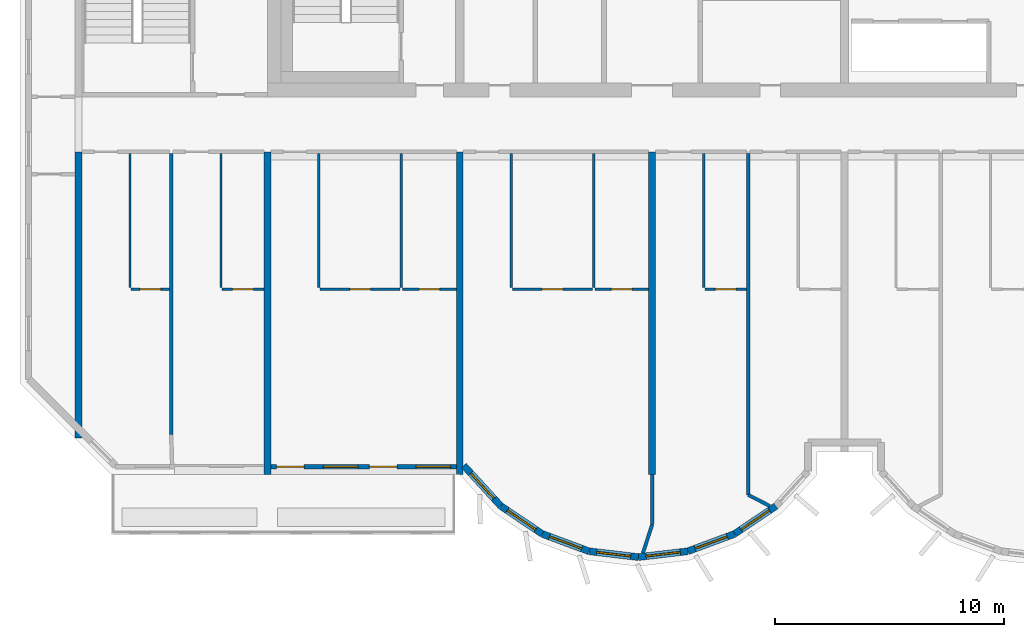
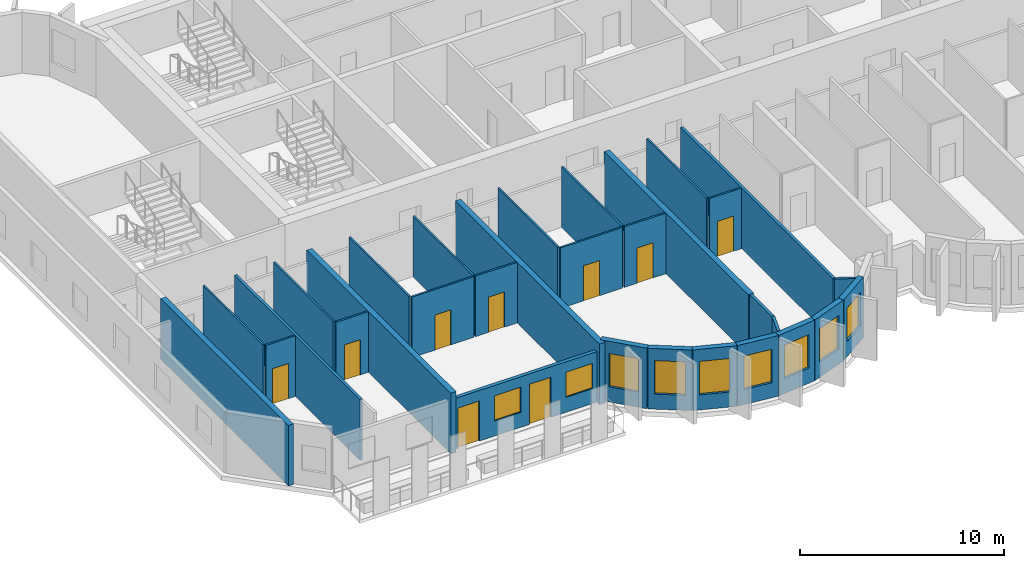
# One storey, part 2 of 11: 31 walls, 9 doors, 9 windows, 18 openings.
"""IFC4 building model written with IfcOpenShell, lengths in metres."""

import ifcopenshell
import ifcopenshell.guid

model = None  # the IFC model being written
_history = None  # IfcOwnerHistory: only IFC2X3 demands one
_inside = {}  # id of a spatial element -> (the spatial element, [elements in it])
_under = {}  # id of a project, library or spatial element -> (it, [spatial elements below it])
_declared = {}  # id of a project -> (the project, [libraries it declares])
_typed = {}  # id of a type object -> (the type object, [elements of that type])
_made_of = {}  # id of a material, layer set ... -> (it, [elements and type objects made of it])


def new_model(schema):
    """Start an empty IFC model of exactly this schema.

    Asked for "IFC4X3", IfcOpenShell would pick the latest addendum, in which some entities
    have other attributes; the version numbers below select the first issue.
    IFC2X3 requires an IfcOwnerHistory on every rooted entity: one is made here for all.
    """
    global model, _history
    if schema == "IFC4X3":
        model = ifcopenshell.file(schema_version=(4, 3, 0, 0))
    else:
        model = ifcopenshell.file(schema=schema)
    _inside.clear()
    _under.clear()
    _declared.clear()
    _typed.clear()
    _made_of.clear()
    _history = None
    if model.schema == "IFC2X3":
        org = make("IfcOrganization", Name="unknown")
        user = make(
            "IfcPersonAndOrganization",
            ThePerson=make("IfcPerson", FamilyName="unknown"),
            TheOrganization=org,
        )
        app = make(
            "IfcApplication",
            ApplicationDeveloper=org,
            Version="unknown",
            ApplicationFullName="unknown",
            ApplicationIdentifier="unknown",
        )
        _history = make(
            "IfcOwnerHistory",
            OwningUser=user,
            OwningApplication=app,
            ChangeAction="ADDED",
            CreationDate=0,
        )
    return model


def make(cls, **values):
    """One entity of the class cls with the attributes given. An attribute that is None is left unset."""
    return model.create_entity(
        cls, **{name: value for name, value in values.items() if value is not None}
    )


def rooted(cls, **values):
    """An entity with a GlobalId (a new one), such as an element, a storey or a relation."""
    return make(cls, GlobalId=ifcopenshell.guid.new(), OwnerHistory=_history, **values)


def si_unit(unit_type, name, prefix=None):
    """IfcSIUnit, for example si_unit("LENGTHUNIT", "METRE", prefix="MILLI")."""
    return make("IfcSIUnit", UnitType=unit_type, Prefix=prefix, Name=name)


def assignment(units):
    """IfcUnitAssignment: the units of a project."""
    return None if units is None else make("IfcUnitAssignment", Units=units)


def point(xyz):
    """IfcCartesianPoint."""
    return None if xyz is None else make("IfcCartesianPoint", Coordinates=xyz)


def direction(xyz):
    """IfcDirection."""
    return None if xyz is None else make("IfcDirection", DirectionRatios=xyz)


def frame(location, z_axis=None, x_axis=None):
    """IfcAxis2Placement3D, a coordinate frame: its origin and axes. An axis left out is left unset."""
    return make(
        "IfcAxis2Placement3D",
        Location=point(location),
        Axis=direction(z_axis),
        RefDirection=direction(x_axis),
    )


def frame_2d(location, x_axis=None):
    """IfcAxis2Placement2D, a coordinate frame in the plane: its origin and x axis."""
    return make(
        "IfcAxis2Placement2D", Location=point(location), RefDirection=direction(x_axis)
    )


def origin():
    """The frame at (0, 0, 0) with its axes left unset."""
    return frame((0.0, 0.0, 0.0))


def place(relative_to, where):
    """IfcLocalPlacement: puts the frame where relative to a parent placement (None: the world)."""
    return make(
        "IfcLocalPlacement", PlacementRelTo=relative_to, RelativePlacement=where
    )


def context(
    kind, dimensions, precision=None, world=None, true_north=None, identifier=None
):
    """IfcGeometricRepresentationContext, for example the 3D "Model" context."""
    return make(
        "IfcGeometricRepresentationContext",
        ContextIdentifier=identifier,
        ContextType=kind,
        CoordinateSpaceDimension=dimensions,
        Precision=precision,
        WorldCoordinateSystem=world,
        TrueNorth=true_north,
    )


def subcontext(parent, identifier, kind, view, scale=None):
    """IfcGeometricRepresentationSubContext, for example "Body" below "Model"."""
    return make(
        "IfcGeometricRepresentationSubContext",
        ContextIdentifier=identifier,
        ContextType=kind,
        ParentContext=parent,
        TargetScale=scale,
        TargetView=view,
    )


def project(units=None, contexts=None):
    """IfcProject with its units and contexts."""
    return rooted(
        "IfcProject",
        Name="project",
        RepresentationContexts=contexts,
        UnitsInContext=assignment(units),
    )


def spatial(cls, under=None, at=None, **own):
    """A site, building, storey or space (cls), placed at a placement, below another one or the project."""
    s = rooted(cls, ObjectPlacement=at, **own)
    if under is not None:
        _under.setdefault(under.id(), (under, []))[1].append(s)
    return s


def profile(cls, at=None, kind="AREA", **sizes):
    """A parametric profile (cls). Its sizes go by their IFC names, for example OverallWidth=200.0."""
    return make(cls, ProfileType=kind, Position=at, **sizes)


def rectangle(**sizes):
    """IfcRectangleProfileDef."""
    return profile("IfcRectangleProfileDef", **sizes)


def extrude(swept, where, along, depth):
    """IfcExtrudedAreaSolid: the profile swept, set in the frame where, extruded along a direction by depth."""
    return make(
        "IfcExtrudedAreaSolid",
        SweptArea=swept,
        Position=where,
        ExtrudedDirection=direction(along),
        Depth=depth,
    )


def shape(context_of_items, identifier, shape_type, items):
    """IfcShapeRepresentation: the items that make up one representation, for example the "Body"."""
    return make(
        "IfcShapeRepresentation",
        ContextOfItems=context_of_items,
        RepresentationIdentifier=identifier,
        RepresentationType=shape_type,
        Items=items,
    )


def source(mapping_origin, context_of_items, identifier, shape_type, items):
    """IfcRepresentationMap: a shape defined once, which mapped items show again and again."""
    return make(
        "IfcRepresentationMap",
        MappingOrigin=mapping_origin,
        MappedRepresentation=shape(context_of_items, identifier, shape_type, items),
    )


def transform(
    local_origin,
    x_axis=None,
    y_axis=None,
    z_axis=None,
    scale=None,
    scale2=None,
    scale3=None,
    uniform=True,
):
    """IfcCartesianTransformationOperator3D, or its non-uniform kind. x_axis, y_axis, z_axis: its Axis1, 2, 3."""
    if uniform:
        return make(
            "IfcCartesianTransformationOperator3D",
            Axis1=direction(x_axis),
            Axis2=direction(y_axis),
            LocalOrigin=point(local_origin),
            Scale=scale,
            Axis3=direction(z_axis),
        )
    return make(
        "IfcCartesianTransformationOperator3DnonUniform",
        Axis1=direction(x_axis),
        Axis2=direction(y_axis),
        LocalOrigin=point(local_origin),
        Scale=scale,
        Axis3=direction(z_axis),
        Scale2=scale2,
        Scale3=scale3,
    )


def mapped(mapping_source, mapping_target):
    """IfcMappedItem: shows the shape of a source again, moved by a transform."""
    return make(
        "IfcMappedItem", MappingSource=mapping_source, MappingTarget=mapping_target
    )


def material(Name=None, Category=None):
    """IfcMaterial."""
    return make("IfcMaterial", Name=Name, Category=Category)


def layer(
    of_material, thickness, ventilated=None, Name=None, Category=None, Priority=None
):
    """IfcMaterialLayer: one layer of a wall or slab, of a material (None: an air gap)."""
    return make(
        "IfcMaterialLayer",
        Material=of_material,
        LayerThickness=thickness,
        IsVentilated=ventilated,
        Name=Name,
        Category=Category,
        Priority=Priority,
    )


def layer_set(layers, Name=None):
    """IfcMaterialLayerSet."""
    return make("IfcMaterialLayerSet", MaterialLayers=layers, LayerSetName=Name)


def made_of(thing, what):
    """Note that an element or type object is made of a material, layer set ...; save() writes the relation."""
    if what is not None:
        _made_of.setdefault(what.id(), (what, []))[1].append(thing)
    return thing


def type_object(cls, material=None, **own):
    """A type object (cls), such as IfcWallType, which elements share."""
    return made_of(rooted(cls, **own), material)


def element(
    cls,
    number,
    at=None,
    inside=None,
    cuts=None,
    type_object=None,
    material=None,
    context=None,
    identifier="Body",
    shape_type=None,
    held_by="IfcProductDefinitionShape",
    body=None,
    shapes=None,
    **own,
):
    """One element of the class cls, such as IfcWall. Its Tag is "e" and its number.

    at: its placement. inside: the storey or other place that contains it. cuts: it is an
    opening in that element (IfcRelVoidsElement). A single representation is given by context,
    identifier, shape_type and body (its items); several are given by shapes. held_by: the class
    of the entity that holds the representations. save() writes the other relations.
    """
    e = rooted(cls, Tag="e%d" % number, ObjectPlacement=at, **own)
    if body is not None:
        shapes = [shape(context, identifier, shape_type, body)]
    if shapes is not None:
        e.Representation = make(held_by, Representations=shapes)
    if inside is not None:
        _inside.setdefault(inside.id(), (inside, []))[1].append(e)
    if cuts is not None:
        rooted(
            "IfcRelVoidsElement", RelatingBuildingElement=cuts, RelatedOpeningElement=e
        )
    if type_object is not None:
        _typed.setdefault(type_object.id(), (type_object, []))[1].append(e)
    return made_of(e, material)


def fill(opening, filler):
    """IfcRelFillsElement: the door or window that sits in an opening."""
    return rooted(
        "IfcRelFillsElement",
        RelatingOpeningElement=opening,
        RelatedBuildingElement=filler,
    )


def aggregate(whole, parts):
    """IfcRelAggregates: a whole, such as a stair, and the parts it consists of."""
    return rooted("IfcRelAggregates", RelatingObject=whole, RelatedObjects=parts)


def save(model, path):
    """Write the relations noted so far, then the file.

    IfcRelAggregates (storeys below a building ...), IfcRelContainedInSpatialStructure (elements
    in a storey), IfcRelDefinesByType, IfcRelAssociatesMaterial and IfcRelDeclares: one each for
    every whole, place, type object, material and project.
    """
    for whole, parts in _under.values():
        aggregate(whole, parts)
    for where, things in _inside.values():
        rooted(
            "IfcRelContainedInSpatialStructure",
            RelatedElements=things,
            RelatingStructure=where,
        )
    for kind, things in _typed.values():
        rooted("IfcRelDefinesByType", RelatedObjects=things, RelatingType=kind)
    for what, things in _made_of.values():
        rooted("IfcRelAssociatesMaterial", RelatedObjects=things, RelatingMaterial=what)
    for by, libraries in _declared.values():
        rooted("IfcRelDeclares", RelatingContext=by, RelatedDefinitions=libraries)
    model.write(path)


model = new_model("IFC4")

# Units and contexts
model_context = context("Model", 3, precision=1e-05, world=origin(), true_north=direction((0.0, 1.0)))
body_context = subcontext(model_context, "Body", "Model", "MODEL_VIEW")
ifc_project = project(units=[si_unit("LENGTHUNIT", "METRE"), si_unit("AREAUNIT", "SQUARE_METRE"), si_unit("VOLUMEUNIT", "CUBIC_METRE"), si_unit("PLANEANGLEUNIT", "RADIAN"), si_unit("MASSUNIT", "GRAM", prefix="KILO")], contexts=[model_context])

# Site, building, storey
site_placement = place(None, origin())
site = spatial("IfcSite", under=ifc_project, at=site_placement, CompositionType="ELEMENT")
building_placement = place(site_placement, origin())
building = spatial("IfcBuilding", under=site, at=building_placement, Name="Vanashikhar Sky Hotel", CompositionType="ELEMENT")
storey_placement = place(building_placement, frame((0.0, 0.0, 260.800048828125)))
storey = spatial("IfcBuildingStorey", under=building, at=storey_placement, Name="L63", CompositionType="ELEMENT", Elevation=260.800048828125)

# Walls
ifc_material_1 = material(Name="Concrete M60", Category="concrete")
ifc_layer_1 = layer(ifc_material_1, 0.300048828125)
ifc_layer_set_1 = layer_set([ifc_layer_1], Name="RC shear wall 300 Concrete M60")
wall_type_1 = type_object("IfcWallType", Name="RC shear wall 300 Concrete M60", PredefinedType="SHEAR", material=ifc_layer_set_1)
shared_shape_1 = source(origin(), body_context, "Body", "SweptSolid", [
    extrude(rectangle(XDim=12.5, YDim=0.300048828125, at=frame_2d((6.25, 0.0))), origin(), (0.0, 0.0, 1.0), 3.619873046875),
])
wall_1_placement = place(storey_placement, frame((16.949951171875, 7.10009765625, 0.0), z_axis=(0.0, 0.0, 1.0), x_axis=(0.0, 1.0, 0.0)))
element("IfcWall", 1, at=wall_1_placement, inside=storey, type_object=wall_type_1, Name="CW-L63-XW03-1", PredefinedType="SHEAR", context=body_context, shape_type="MappedRepresentation", body=[
    mapped(shared_shape_1, transform((0.0, 0.0, 0.0), scale=1.0)),
])
shared_shape_2 = source(origin(), body_context, "Body", "SweptSolid", [
    extrude(rectangle(XDim=14.10009765625, YDim=0.300048828125, at=frame_2d((7.050048828125, 0.0))), origin(), (0.0, 0.0, 1.0), 3.619873046875),
])
for number, where, z_axis, x_axis, name in (
    (2, (25.199951171875, 5.5, 0.0), (0.0, 0.0, 1.0), (0.0, 1.0, 0.0), "CW-L63-XW04-1"),
    (3, (33.60009765625, 5.5, 0.0), (0.0, 0.0, 1.0), (0.0, 1.0, 0.0), "CW-L63-XW05-1"),
    (4, (42.0, 5.5, 0.0), (0.0, 0.0, 1.0), (0.0, 1.0, 0.0), "CW-L63-XW06-1"),
):
    element("IfcWall", number, at=place(storey_placement, frame(where, z_axis=z_axis, x_axis=x_axis)), inside=storey, type_object=wall_type_1, Name=name, PredefinedType="SHEAR", context=body_context, shape_type="MappedRepresentation", body=[
        mapped(shared_shape_2, transform((0.0, 0.0, 0.0), scale=1.0)),
    ])

# Wall, openings, windows, doors
ifc_material_2 = material(Name="Concrete M50", Category="concrete")
ifc_layer_2 = layer(ifc_material_2, 0.199951171875)
ifc_layer_set_2 = layer_set([ifc_layer_2], Name="Front window wall 200")
wall_type_2 = type_object("IfcWallType", Name="Front window wall 200", PredefinedType="SOLIDWALL", material=ifc_layer_set_2)
shared_shape_3 = source(origin(), body_context, "Body", "SweptSolid", [
    extrude(rectangle(XDim=8.099853515625, YDim=0.199951171875, at=frame_2d((4.0498046875, 0.0))), origin(), (0.0, 0.0, 1.0), 3.02001953125),
])
wall_2_placement = place(storey_placement, frame((25.35009765625, 5.85009765625, 0.0), z_axis=(0.0, 0.0, 1.0), x_axis=(1.0, 0.0, 0.0)))
wall_2 = element("IfcWall", 5, at=wall_2_placement, inside=storey, type_object=wall_type_2, Name="Front window wall", PredefinedType="SOLIDWALL", context=body_context, shape_type="MappedRepresentation", body=[
    mapped(shared_shape_3, transform((0.0, 0.0, 0.0), scale=1.0)),
])
shared_shape_4 = source(origin(), body_context, "Body", "SweptSolid", [
    extrude(rectangle(XDim=1.199951171875, YDim=2.39990234375, at=frame_2d((0.60009765625, 1.199951171875))), frame((0.0, 0.10986328125, 0.0), z_axis=(0.0, -1.0, 0.0), x_axis=(1.0, 0.0, 0.0)), (0.0, 0.0, 1.0), 0.219970703125),
])
opening_1_placement = place(wall_2_placement, frame((0.25, 0.0, 0.0)))
opening_1 = element("IfcOpeningElement", 6, at=opening_1_placement, cuts=wall_2, Name="Opening BD-01", PredefinedType="OPENING", context=body_context, shape_type="MappedRepresentation", body=[
    mapped(shared_shape_4, transform((0.0, 0.0, 0.0), scale=1.0)),
])
shared_shape_5 = source(origin(), body_context, "Body", "SweptSolid", [
    extrude(rectangle(XDim=1.5, YDim=1.5, at=frame_2d((0.75, 0.75))), frame((0.0, 0.10986328125, 0.0), z_axis=(0.0, -1.0, 0.0), x_axis=(1.0, 0.0, 0.0)), (0.0, 0.0, 1.0), 0.219970703125),
])
opening_2_placement = place(wall_2_placement, frame((2.300048828125, 0.0, 0.89990234375)))
opening_2 = element("IfcOpeningElement", 7, at=opening_2_placement, cuts=wall_2, Name="Opening WN-1", PredefinedType="OPENING", context=body_context, shape_type="MappedRepresentation", body=[
    mapped(shared_shape_5, transform((0.0, 0.0, 0.0), scale=1.0)),
])
opening_3_placement = place(wall_2_placement, frame((4.300048828125, 0.0, 0.0)))
opening_3 = element("IfcOpeningElement", 8, at=opening_3_placement, cuts=wall_2, Name="Opening BD-02", PredefinedType="OPENING", context=body_context, shape_type="MappedRepresentation", body=[
    mapped(shared_shape_4, transform((0.0, 0.0, 0.0), scale=1.0)),
])
opening_4_placement = place(wall_2_placement, frame((6.35009765625, 0.0, 0.89990234375)))
opening_4 = element("IfcOpeningElement", 9, at=opening_4_placement, cuts=wall_2, Name="Opening WN-1", PredefinedType="OPENING", context=body_context, shape_type="MappedRepresentation", body=[
    mapped(shared_shape_5, transform((0.0, 0.0, 0.0), scale=1.0)),
])
ifc_material_3 = material(Name="Glass", Category="glass")
window_type_1 = type_object("IfcWindowType", Name="Window 1500 x 1500", PartitioningType="SINGLE_PANEL", PredefinedType="WINDOW", material=ifc_material_3)
shared_shape_6 = source(origin(), body_context, "Body", "SweptSolid", [
    extrude(rectangle(XDim=1.5, YDim=1.5, at=frame_2d((0.75, 0.75))), frame((0.0, 0.030029296875, 0.0), z_axis=(0.0, -1.0, 0.0), x_axis=(1.0, 0.0, 0.0)), (0.0, 0.0, 1.0), 0.06005859375),
])
window_1_placement = place(opening_2_placement, origin())
window_1 = element("IfcWindow", 10, at=window_1_placement, inside=storey, type_object=window_type_1, Name="Window WN-1", OverallHeight=1.5, OverallWidth=1.5, PartitioningType="SINGLE_PANEL", PredefinedType="WINDOW", context=body_context, shape_type="MappedRepresentation", body=[
    mapped(shared_shape_6, transform((0.0, 0.0, 0.0), scale=1.0)),
])
fill(opening_2, window_1)
window_2_placement = place(opening_4_placement, origin())
window_2 = element("IfcWindow", 11, at=window_2_placement, inside=storey, type_object=window_type_1, Name="Window WN-1", OverallHeight=1.5, OverallWidth=1.5, PartitioningType="SINGLE_PANEL", PredefinedType="WINDOW", context=body_context, shape_type="MappedRepresentation", body=[
    mapped(shared_shape_6, transform((0.0, 0.0, 0.0), scale=1.0)),
])
fill(opening_4, window_2)
ifc_material_4 = material(Name="Aluminium", Category="aluminium")
door_type_1 = type_object("IfcDoorType", Name="Balcony sliding door 1200 x 2400", OperationType="NOTDEFINED", PredefinedType="DOOR", material=ifc_material_4)
shared_shape_7 = source(origin(), body_context, "Body", "SweptSolid", [
    extrude(rectangle(XDim=1.199951171875, YDim=2.39990234375, at=frame_2d((0.60009765625, 1.199951171875))), frame((0.0, 0.02490234375, 0.0), z_axis=(0.0, -1.0, 0.0), x_axis=(1.0, 0.0, 0.0)), (0.0, 0.0, 1.0), 0.050048828125),
])
door_1_placement = place(opening_1_placement, origin())
door_1 = element("IfcDoor", 12, at=door_1_placement, inside=storey, type_object=door_type_1, Name="Balcony sliding door", OperationType="SLIDING_TO_LEFT", OverallHeight=2.39990234375, OverallWidth=1.199951171875, PredefinedType="DOOR", context=body_context, shape_type="MappedRepresentation", body=[
    mapped(shared_shape_7, transform((0.0, 0.0, 0.0), scale=1.0)),
])
fill(opening_1, door_1)
door_2_placement = place(opening_3_placement, origin())
door_2 = element("IfcDoor", 13, at=door_2_placement, inside=storey, type_object=door_type_1, Name="Balcony sliding door", OperationType="SLIDING_TO_RIGHT", OverallHeight=2.39990234375, OverallWidth=1.199951171875, PredefinedType="DOOR", context=body_context, shape_type="MappedRepresentation", body=[
    mapped(shared_shape_7, transform((0.0, 0.0, 0.0), scale=1.0)),
])
fill(opening_3, door_2)

# Wall, opening, window
ifc_layer_3 = layer(ifc_material_2, 0.300048828125)
ifc_layer_set_3 = layer_set([ifc_layer_3], Name="Lobe wall 300")
wall_type_3 = type_object("IfcWallType", Name="Lobe wall 300", PredefinedType="SOLIDWALL", material=ifc_layer_set_3)
shared_shape_8 = source(origin(), body_context, "Body", "SweptSolid", [
    extrude(rectangle(XDim=2.398193359375, YDim=0.300048828125, at=frame_2d((1.19921875, 0.0))), origin(), (0.0, 0.0, 1.0), 3.619873046875),
])
wall_3_placement = place(storey_placement, frame((33.776123046875, 5.89990234375, 0.0), z_axis=(0.0, 0.0, 1.0), x_axis=(0.675374189419, -0.737475222815, 0.0)))
wall_3 = element("IfcWall", 14, at=wall_3_placement, inside=storey, type_object=wall_type_3, Name="Lobe wall", PredefinedType="SOLIDWALL", context=body_context, shape_type="MappedRepresentation", body=[
    mapped(shared_shape_8, transform((0.0, 0.0, 0.0), scale=1.0)),
])
shared_shape_9 = source(origin(), body_context, "Body", "SweptSolid", [
    extrude(rectangle(XDim=1.5, YDim=2.0, at=frame_2d((0.75, 1.0))), frame((0.0, 0.16015625, 0.0), z_axis=(0.0, -1.0, 0.0), x_axis=(1.0, 0.0, 0.0)), (0.0, 0.0, 1.0), 0.320068359375),
])
opening_5_placement = place(wall_3_placement, frame((0.44921875, 0.0, 0.89990234375)))
opening_5 = element("IfcOpeningElement", 15, at=opening_5_placement, cuts=wall_3, Name="Opening WN-2", PredefinedType="OPENING", context=body_context, shape_type="MappedRepresentation", body=[
    mapped(shared_shape_9, transform((0.0, 0.0, 0.0), scale=1.0)),
])
window_type_2 = type_object("IfcWindowType", Name="Lobe window 1500 x 2000", PartitioningType="SINGLE_PANEL", PredefinedType="WINDOW", material=ifc_material_3)
shared_shape_10 = source(origin(), body_context, "Body", "SweptSolid", [
    extrude(rectangle(XDim=1.5, YDim=2.0, at=frame_2d((0.75, 1.0))), frame((0.0, 0.030029296875, 0.0), z_axis=(0.0, -1.0, 0.0), x_axis=(1.0, 0.0, 0.0)), (0.0, 0.0, 1.0), 0.06005859375),
])
window_3_placement = place(opening_5_placement, origin())
window_3 = element("IfcWindow", 16, at=window_3_placement, inside=storey, type_object=window_type_2, Name="Window WN-2", OverallHeight=2.0, OverallWidth=1.5, PartitioningType="SINGLE_PANEL", PredefinedType="WINDOW", context=body_context, shape_type="MappedRepresentation", body=[
    mapped(shared_shape_10, transform((0.0, 0.0, 0.0), scale=1.0)),
])
fill(opening_5, window_3)

shared_shape_11 = source(origin(), body_context, "Body", "SweptSolid", [
    extrude(rectangle(XDim=2.17578125, YDim=0.300048828125, at=frame_2d((1.087890625, 0.0))), origin(), (0.0, 0.0, 1.0), 3.619873046875),
])
wall_4_placement = place(storey_placement, frame((35.395751953125, 4.13134765625, 0.0), z_axis=(0.0, 0.0, 1.0), x_axis=(0.829590746428, -0.558371913192, 0.0)))
wall_4 = element("IfcWall", 17, at=wall_4_placement, inside=storey, type_object=wall_type_3, Name="Lobe wall", PredefinedType="SOLIDWALL", context=body_context, shape_type="MappedRepresentation", body=[
    mapped(shared_shape_11, transform((0.0, 0.0, 0.0), scale=1.0)),
])
opening_6_placement = place(wall_4_placement, frame((0.337890625, 0.0, 0.89990234375)))
opening_6 = element("IfcOpeningElement", 18, at=opening_6_placement, cuts=wall_4, Name="Opening WN-2", PredefinedType="OPENING", context=body_context, shape_type="MappedRepresentation", body=[
    mapped(shared_shape_9, transform((0.0, 0.0, 0.0), scale=1.0)),
])
window_4_placement = place(opening_6_placement, origin())
window_4 = element("IfcWindow", 19, at=window_4_placement, inside=storey, type_object=window_type_2, Name="Window WN-2", OverallHeight=2.0, OverallWidth=1.5, PartitioningType="SINGLE_PANEL", PredefinedType="WINDOW", context=body_context, shape_type="MappedRepresentation", body=[
    mapped(shared_shape_10, transform((0.0, 0.0, 0.0), scale=1.0)),
])
fill(opening_6, window_4)

wall_5_placement = place(storey_placement, frame((37.20068359375, 2.91650390625, 0.0), z_axis=(0.0, 0.0, 1.0), x_axis=(0.93754555999, -0.347862505801, 0.0)))
wall_5 = element("IfcWall", 20, at=wall_5_placement, inside=storey, type_object=wall_type_3, Name="Lobe wall", PredefinedType="SOLIDWALL", context=body_context, shape_type="MappedRepresentation", body=[
    mapped(shared_shape_11, transform((0.0, 0.0, 0.0), scale=1.0)),
])
opening_7_placement = place(wall_5_placement, frame((0.337890625, 0.0, 0.89990234375)))
opening_7 = element("IfcOpeningElement", 21, at=opening_7_placement, cuts=wall_5, Name="Opening WN-2", PredefinedType="OPENING", context=body_context, shape_type="MappedRepresentation", body=[
    mapped(shared_shape_9, transform((0.0, 0.0, 0.0), scale=1.0)),
])
window_5_placement = place(opening_7_placement, origin())
window_5 = element("IfcWindow", 22, at=window_5_placement, inside=storey, type_object=window_type_2, Name="Window WN-2", OverallHeight=2.0, OverallWidth=1.5, PartitioningType="SINGLE_PANEL", PredefinedType="WINDOW", context=body_context, shape_type="MappedRepresentation", body=[
    mapped(shared_shape_10, transform((0.0, 0.0, 0.0), scale=1.0)),
])
fill(opening_7, window_5)

wall_6_placement = place(storey_placement, frame((45.59912109375, 2.91650390625, 0.0), z_axis=(0.0, 0.0, 1.0), x_axis=(0.829625727223, 0.558319937607, 0.0)))
wall_6 = element("IfcWall", 23, at=wall_6_placement, inside=storey, type_object=wall_type_3, Name="Lobe wall", PredefinedType="SOLIDWALL", context=body_context, shape_type="MappedRepresentation", body=[
    mapped(shared_shape_11, transform((0.0, 0.0, 0.0), scale=1.0)),
])
opening_8_placement = place(wall_6_placement, frame((0.337890625, 0.0, 0.89990234375)))
opening_8 = element("IfcOpeningElement", 24, at=opening_8_placement, cuts=wall_6, Name="Opening WN-2", PredefinedType="OPENING", context=body_context, shape_type="MappedRepresentation", body=[
    mapped(shared_shape_9, transform((0.0, 0.0, 0.0), scale=1.0)),
])
window_6_placement = place(opening_8_placement, origin())
window_6 = element("IfcWindow", 25, at=window_6_placement, inside=storey, type_object=window_type_2, Name="Window WN-2", OverallHeight=2.0, OverallWidth=1.5, PartitioningType="SINGLE_PANEL", PredefinedType="WINDOW", context=body_context, shape_type="MappedRepresentation", body=[
    mapped(shared_shape_10, transform((0.0, 0.0, 0.0), scale=1.0)),
])
fill(opening_8, window_6)

shared_shape_12 = source(origin(), body_context, "Body", "SweptSolid", [
    extrude(rectangle(XDim=2.174560546875, YDim=0.300048828125, at=frame_2d((1.08740234375, 0.0))), origin(), (0.0, 0.0, 1.0), 3.619873046875),
])
wall_7_placement = place(storey_placement, frame((39.240478515625, 2.15966796875, 0.0), z_axis=(0.0, 0.0, 1.0), x_axis=(0.993001132889, -0.118104826659, 0.0)))
wall_7 = element("IfcWall", 26, at=wall_7_placement, inside=storey, type_object=wall_type_3, Name="Lobe wall", PredefinedType="SOLIDWALL", context=body_context, shape_type="MappedRepresentation", body=[
    mapped(shared_shape_12, transform((0.0, 0.0, 0.0), scale=1.0)),
])
opening_9_placement = place(wall_7_placement, frame((0.33740234375, 0.0, 0.89990234375)))
opening_9 = element("IfcOpeningElement", 27, at=opening_9_placement, cuts=wall_7, Name="Opening WN-2", PredefinedType="OPENING", context=body_context, shape_type="MappedRepresentation", body=[
    mapped(shared_shape_9, transform((0.0, 0.0, 0.0), scale=1.0)),
])
window_7_placement = place(opening_9_placement, origin())
window_7 = element("IfcWindow", 28, at=window_7_placement, inside=storey, type_object=window_type_2, Name="Window WN-2", OverallHeight=2.0, OverallWidth=1.5, PartitioningType="SINGLE_PANEL", PredefinedType="WINDOW", context=body_context, shape_type="MappedRepresentation", body=[
    mapped(shared_shape_10, transform((0.0, 0.0, 0.0), scale=1.0)),
])
fill(opening_9, window_7)

shared_shape_13 = source(origin(), body_context, "Body", "SweptSolid", [
    extrude(rectangle(XDim=2.1748046875, YDim=0.300048828125, at=frame_2d((1.08740234375, 0.0))), origin(), (0.0, 0.0, 1.0), 3.619873046875),
])
wall_8_placement = place(storey_placement, frame((41.39990234375, 1.90283203125, 0.0), z_axis=(0.0, 0.0, 1.0), x_axis=(0.993002698611, 0.118091661648, 0.0)))
wall_8 = element("IfcWall", 29, at=wall_8_placement, inside=storey, type_object=wall_type_3, Name="Lobe wall", PredefinedType="SOLIDWALL", context=body_context, shape_type="MappedRepresentation", body=[
    mapped(shared_shape_13, transform((0.0, 0.0, 0.0), scale=1.0)),
])
opening_10_placement = place(wall_8_placement, frame((0.33740234375, 0.0, 0.89990234375)))
opening_10 = element("IfcOpeningElement", 30, at=opening_10_placement, cuts=wall_8, Name="Opening WN-2", PredefinedType="OPENING", context=body_context, shape_type="MappedRepresentation", body=[
    mapped(shared_shape_9, transform((0.0, 0.0, 0.0), scale=1.0)),
])
window_8_placement = place(opening_10_placement, origin())
window_8 = element("IfcWindow", 31, at=window_8_placement, inside=storey, type_object=window_type_2, Name="Window WN-2", OverallHeight=2.0, OverallWidth=1.5, PartitioningType="SINGLE_PANEL", PredefinedType="WINDOW", context=body_context, shape_type="MappedRepresentation", body=[
    mapped(shared_shape_10, transform((0.0, 0.0, 0.0), scale=1.0)),
])
fill(opening_10, window_8)

shared_shape_14 = source(origin(), body_context, "Body", "SweptSolid", [
    extrude(rectangle(XDim=2.175537109375, YDim=0.300048828125, at=frame_2d((1.087890625, 0.0))), origin(), (0.0, 0.0, 1.0), 3.619873046875),
])
wall_9_placement = place(storey_placement, frame((43.5595703125, 2.15966796875, 0.0), z_axis=(0.0, 0.0, 1.0), x_axis=(0.937531979054, 0.347899106424, 0.0)))
wall_9 = element("IfcWall", 32, at=wall_9_placement, inside=storey, type_object=wall_type_3, Name="Lobe wall", PredefinedType="SOLIDWALL", context=body_context, shape_type="MappedRepresentation", body=[
    mapped(shared_shape_14, transform((0.0, 0.0, 0.0), scale=1.0)),
])
opening_11_placement = place(wall_9_placement, frame((0.337890625, 0.0, 0.89990234375)))
opening_11 = element("IfcOpeningElement", 33, at=opening_11_placement, cuts=wall_9, Name="Opening WN-2", PredefinedType="OPENING", context=body_context, shape_type="MappedRepresentation", body=[
    mapped(shared_shape_9, transform((0.0, 0.0, 0.0), scale=1.0)),
])
window_9_placement = place(opening_11_placement, origin())
window_9 = element("IfcWindow", 34, at=window_9_placement, inside=storey, type_object=window_type_2, Name="Window WN-2", OverallHeight=2.0, OverallWidth=1.5, PartitioningType="SINGLE_PANEL", PredefinedType="WINDOW", context=body_context, shape_type="MappedRepresentation", body=[
    mapped(shared_shape_10, transform((0.0, 0.0, 0.0), scale=1.0)),
])
fill(opening_11, window_9)

# Wall
ifc_material_5 = material(Name="Gypsum plasterboard partition")
ifc_layer_4 = layer(ifc_material_5, 0.14990234375)
ifc_layer_set_4 = layer_set([ifc_layer_4], Name="Corridor and demising partition 150")
wall_type_4 = type_object("IfcWallType", Name="Corridor and demising partition 150", PredefinedType="PARTITIONING", material=ifc_layer_set_4)
shared_shape_15 = source(origin(), body_context, "Body", "SweptSolid", [
    extrude(rectangle(XDim=12.27490234375, YDim=0.14990234375, at=frame_2d((6.137451171875, 0.0))), origin(), (0.0, 0.0, 1.0), 3.619873046875),
])
wall_10_placement = place(storey_placement, frame((21.0, 7.25, 0.0), z_axis=(0.0, 0.0, 1.0), x_axis=(0.0, 1.0, 0.0)))
element("IfcWall", 35, at=wall_10_placement, inside=storey, type_object=wall_type_4, Name="W-L63-PW007", PredefinedType="PARTITIONING", context=body_context, shape_type="MappedRepresentation", body=[
    mapped(shared_shape_15, transform((0.0, 0.0, 0.0), scale=1.0)),
])

# Wall, opening, door
ifc_layer_5 = layer(ifc_material_5, 0.10009765625)
ifc_layer_set_5 = layer_set([ifc_layer_5], Name="Wet room partition 100")
wall_type_5 = type_object("IfcWallType", Name="Wet room partition 100", PredefinedType="PARTITIONING", material=ifc_layer_set_5)
shared_shape_16 = source(origin(), body_context, "Body", "SweptSolid", [
    extrude(rectangle(XDim=3.5, YDim=0.10009765625, at=frame_2d((1.75, 0.0))), origin(), (0.0, 0.0, 1.0), 3.619873046875),
])
wall_11_placement = place(storey_placement, frame((27.5, 13.60009765625, 0.0), z_axis=(0.0, 0.0, 1.0), x_axis=(1.0, 0.0, 0.0)))
wall_11 = element("IfcWall", 36, at=wall_11_placement, inside=storey, type_object=wall_type_5, Name="W-L63-PW010", PredefinedType="PARTITIONING", context=body_context, shape_type="MappedRepresentation", body=[
    mapped(shared_shape_16, transform((0.0, 0.0, 0.0), scale=1.0)),
])
shared_shape_17 = source(origin(), body_context, "Body", "SweptSolid", [
    extrude(rectangle(XDim=0.89990234375, YDim=2.10009765625, at=frame_2d((0.449951171875, 1.050048828125))), frame((0.0, 0.06005859375, 0.0), z_axis=(0.0, -1.0, 0.0), x_axis=(1.0, 0.0, 0.0)), (0.0, 0.0, 1.0), 0.1201171875),
])
opening_12_placement = place(wall_11_placement, frame((1.300048828125, 0.0, 0.0)))
opening_12 = element("IfcOpeningElement", 37, at=opening_12_placement, cuts=wall_11, Name="Opening D-02", PredefinedType="OPENING", context=body_context, shape_type="MappedRepresentation", body=[
    mapped(shared_shape_17, transform((0.0, 0.0, 0.0), scale=1.0)),
])
ifc_material_6 = material(Name="Timber door", Category="wood")
door_type_2 = type_object("IfcDoorType", Name="Internal door 900", OperationType="NOTDEFINED", PredefinedType="DOOR", material=ifc_material_6)
shared_shape_18 = source(origin(), body_context, "Body", "SweptSolid", [
    extrude(rectangle(XDim=0.89990234375, YDim=2.10009765625, at=frame_2d((0.449951171875, 1.050048828125))), frame((0.0, 0.02490234375, 0.0), z_axis=(0.0, -1.0, 0.0), x_axis=(1.0, 0.0, 0.0)), (0.0, 0.0, 1.0), 0.050048828125),
])
door_3_placement = place(opening_12_placement, origin())
door_3 = element("IfcDoor", 38, at=door_3_placement, inside=storey, type_object=door_type_2, Name="D-L63-005", OperationType="SINGLE_SWING_LEFT", OverallHeight=2.10009765625, OverallWidth=0.89990234375, PredefinedType="DOOR", context=body_context, shape_type="MappedRepresentation", body=[
    mapped(shared_shape_18, transform((0.0, 0.0, 0.0), scale=1.0)),
])
fill(opening_12, door_3)

wall_12_placement = place(storey_placement, frame((35.89990234375, 13.60009765625, 0.0), z_axis=(0.0, 0.0, 1.0), x_axis=(1.0, 0.0, 0.0)))
wall_12 = element("IfcWall", 39, at=wall_12_placement, inside=storey, type_object=wall_type_5, Name="W-L63-PW015", PredefinedType="PARTITIONING", context=body_context, shape_type="MappedRepresentation", body=[
    mapped(shared_shape_16, transform((0.0, 0.0, 0.0), scale=1.0)),
])
opening_13_placement = place(wall_12_placement, frame((1.300048828125, 0.0, 0.0)))
opening_13 = element("IfcOpeningElement", 40, at=opening_13_placement, cuts=wall_12, Name="Opening D-02", PredefinedType="OPENING", context=body_context, shape_type="MappedRepresentation", body=[
    mapped(shared_shape_17, transform((0.0, 0.0, 0.0), scale=1.0)),
])
door_4_placement = place(opening_13_placement, origin())
door_4 = element("IfcDoor", 41, at=door_4_placement, inside=storey, type_object=door_type_2, Name="D-L63-008", OperationType="SINGLE_SWING_LEFT", OverallHeight=2.10009765625, OverallWidth=0.89990234375, PredefinedType="DOOR", context=body_context, shape_type="MappedRepresentation", body=[
    mapped(shared_shape_18, transform((0.0, 0.0, 0.0), scale=1.0)),
])
fill(opening_13, door_4)

# Walls
shared_shape_19 = source(origin(), body_context, "Body", "SweptSolid", [
    extrude(rectangle(XDim=14.906005859375, YDim=0.14990234375, at=frame_2d((7.453125, 0.0))), origin(), (0.0, 0.0, 1.0), 3.619873046875),
])
wall_13_placement = place(storey_placement, frame((46.199951171875, 4.618896484375, 0.0), z_axis=(0.0, 0.0, 1.0), x_axis=(0.0, 1.0, 0.0)))
element("IfcWall", 42, at=wall_13_placement, inside=storey, type_object=wall_type_4, Name="W-L63-PW024", PredefinedType="PARTITIONING", context=body_context, shape_type="MappedRepresentation", body=[
    mapped(shared_shape_19, transform((0.0, 0.0, 0.0), scale=1.0)),
])
shared_shape_20 = source(origin(), body_context, "Body", "SweptSolid", [
    extrude(rectangle(XDim=2.177978515625, YDim=0.14990234375, at=frame_2d((1.0888671875, 0.0))), origin(), (0.0, 0.0, 1.0), 3.619873046875),
])
wall_14_placement = place(storey_placement, frame((42.0, 3.322021484375, 0.0), z_axis=(0.0, 0.0, 1.0), x_axis=(0.0, 1.0, 0.0)))
element("IfcWall", 43, at=wall_14_placement, inside=storey, type_object=wall_type_4, Name="W-L63-PW047", PredefinedType="PARTITIONING", context=body_context, shape_type="MappedRepresentation", body=[
    mapped(shared_shape_20, transform((0.0, 0.0, 0.0), scale=1.0)),
])
shared_shape_21 = source(origin(), body_context, "Body", "SweptSolid", [
    extrude(rectangle(XDim=1.308349609375, YDim=0.14990234375, at=frame_2d((0.654296875, 0.0))), origin(), (0.0, 0.0, 1.0), 3.619873046875),
])
wall_15_placement = place(storey_placement, frame((41.597900390625, 2.076904296875, 0.0), z_axis=(0.0, 0.0, 1.0), x_axis=(0.307313512187, 0.951608325535, 0.0)))
element("IfcWall", 44, at=wall_15_placement, inside=storey, type_object=wall_type_4, Name="W-L63-PW047B0", PredefinedType="PARTITIONING", context=body_context, shape_type="MappedRepresentation", body=[
    mapped(shared_shape_21, transform((0.0, 0.0, 0.0), scale=1.0)),
])
shared_shape_22 = source(origin(), body_context, "Body", "SweptSolid", [
    extrude(rectangle(XDim=1.0576171875, YDim=0.14990234375, at=frame_2d((0.52880859375, 0.0))), origin(), (0.0, 0.0, 1.0), 3.619873046875),
])
wall_16_placement = place(storey_placement, frame((47.139892578125, 4.134033203125, 0.0), z_axis=(0.0, 0.0, 1.0), x_axis=(-0.888723819054, 0.458442988218, 0.0)))
element("IfcWall", 45, at=wall_16_placement, inside=storey, type_object=wall_type_4, Name="W-L63-PW024B0", PredefinedType="PARTITIONING", context=body_context, shape_type="MappedRepresentation", body=[
    mapped(shared_shape_22, transform((0.0, 0.0, 0.0), scale=1.0)),
])
shared_shape_23 = source(origin(), body_context, "Body", "SweptSolid", [
    extrude(rectangle(XDim=5.849853515625, YDim=0.10009765625, at=frame_2d((2.9248046875, 0.0))), origin(), (0.0, 0.0, 1.0), 3.619873046875),
])
for number, where, z_axis, x_axis, name in (
    (46, (19.199951171875, 13.675048828125, 0.0), (0.0, 0.0, 1.0), (0.0, 1.0, 0.0), "W-L63-PW001"),
    (47, (23.175048828125, 13.675048828125, 0.0), (0.0, 0.0, 1.0), (0.0, 1.0, 0.0), "W-L63-PW004"),
    (48, (27.449951171875, 13.675048828125, 0.0), (0.0, 0.0, 1.0), (0.0, 1.0, 0.0), "W-L63-PW008"),
    (49, (31.050048828125, 13.675048828125, 0.0), (0.0, 0.0, 1.0), (0.0, 1.0, 0.0), "W-L63-PW009"),
    (50, (35.85009765625, 13.675048828125, 0.0), (0.0, 0.0, 1.0), (0.0, 1.0, 0.0), "W-L63-PW013"),
    (51, (39.449951171875, 13.675048828125, 0.0), (0.0, 0.0, 1.0), (0.0, 1.0, 0.0), "W-L63-PW014"),
    (52, (44.25, 13.675048828125, 0.0), (0.0, 0.0, 1.0), (0.0, 1.0, 0.0), "W-L63-PW018"),
):
    element("IfcWall", number, at=place(storey_placement, frame(where, z_axis=z_axis, x_axis=x_axis)), inside=storey, type_object=wall_type_5, Name=name, PredefinedType="PARTITIONING", context=body_context, shape_type="MappedRepresentation", body=[
        mapped(shared_shape_23, transform((0.0, 0.0, 0.0), scale=1.0)),
    ])

# Wall, opening, door
shared_shape_24 = source(origin(), body_context, "Body", "SweptSolid", [
    extrude(rectangle(XDim=1.675048828125, YDim=0.10009765625, at=frame_2d((0.83740234375, 0.0))), origin(), (0.0, 0.0, 1.0), 3.619873046875),
])
wall_17_placement = place(storey_placement, frame((19.25, 13.60009765625, 0.0), z_axis=(0.0, 0.0, 1.0), x_axis=(1.0, 0.0, 0.0)))
wall_17 = element("IfcWall", 53, at=wall_17_placement, inside=storey, type_object=wall_type_5, Name="W-L63-PW002", PredefinedType="PARTITIONING", context=body_context, shape_type="MappedRepresentation", body=[
    mapped(shared_shape_24, transform((0.0, 0.0, 0.0), scale=1.0)),
])
opening_14_placement = place(wall_17_placement, frame((0.387939453125, 0.0, 0.0)))
opening_14 = element("IfcOpeningElement", 54, at=opening_14_placement, cuts=wall_17, Name="Opening D-02", PredefinedType="OPENING", context=body_context, shape_type="MappedRepresentation", body=[
    mapped(shared_shape_17, transform((0.0, 0.0, 0.0), scale=1.0)),
])
door_5_placement = place(opening_14_placement, origin())
door_5 = element("IfcDoor", 55, at=door_5_placement, inside=storey, type_object=door_type_2, Name="D-L63-001", OperationType="SINGLE_SWING_LEFT", OverallHeight=2.10009765625, OverallWidth=0.89990234375, PredefinedType="DOOR", context=body_context, shape_type="MappedRepresentation", body=[
    mapped(shared_shape_18, transform((0.0, 0.0, 0.0), scale=1.0)),
])
fill(opening_14, door_5)

shared_shape_25 = source(origin(), body_context, "Body", "SweptSolid", [
    extrude(rectangle(XDim=1.824951171875, YDim=0.10009765625, at=frame_2d((0.91259765625, 0.0))), origin(), (0.0, 0.0, 1.0), 3.619873046875),
])
wall_18_placement = place(storey_placement, frame((23.22509765625, 13.60009765625, 0.0), z_axis=(0.0, 0.0, 1.0), x_axis=(1.0, 0.0, 0.0)))
wall_18 = element("IfcWall", 56, at=wall_18_placement, inside=storey, type_object=wall_type_5, Name="W-L63-PW005", PredefinedType="PARTITIONING", context=body_context, shape_type="MappedRepresentation", body=[
    mapped(shared_shape_25, transform((0.0, 0.0, 0.0), scale=1.0)),
])
opening_15_placement = place(wall_18_placement, frame((0.462890625, 0.0, 0.0)))
opening_15 = element("IfcOpeningElement", 57, at=opening_15_placement, cuts=wall_18, Name="Opening D-02", PredefinedType="OPENING", context=body_context, shape_type="MappedRepresentation", body=[
    mapped(shared_shape_17, transform((0.0, 0.0, 0.0), scale=1.0)),
])
door_6_placement = place(opening_15_placement, origin())
door_6 = element("IfcDoor", 58, at=door_6_placement, inside=storey, type_object=door_type_2, Name="D-L63-003", OperationType="SINGLE_SWING_LEFT", OverallHeight=2.10009765625, OverallWidth=0.89990234375, PredefinedType="DOOR", context=body_context, shape_type="MappedRepresentation", body=[
    mapped(shared_shape_18, transform((0.0, 0.0, 0.0), scale=1.0)),
])
fill(opening_15, door_6)

wall_19_placement = place(storey_placement, frame((44.300048828125, 13.60009765625, 0.0), z_axis=(0.0, 0.0, 1.0), x_axis=(1.0, 0.0, 0.0)))
wall_19 = element("IfcWall", 59, at=wall_19_placement, inside=storey, type_object=wall_type_5, Name="W-L63-PW019", PredefinedType="PARTITIONING", context=body_context, shape_type="MappedRepresentation", body=[
    mapped(shared_shape_25, transform((0.0, 0.0, 0.0), scale=1.0)),
])
opening_16_placement = place(wall_19_placement, frame((0.4619140625, 0.0, 0.0)))
opening_16 = element("IfcOpeningElement", 60, at=opening_16_placement, cuts=wall_19, Name="Opening D-02", PredefinedType="OPENING", context=body_context, shape_type="MappedRepresentation", body=[
    mapped(shared_shape_17, transform((0.0, 0.0, 0.0), scale=1.0)),
])
door_7_placement = place(opening_16_placement, origin())
door_7 = element("IfcDoor", 61, at=door_7_placement, inside=storey, type_object=door_type_2, Name="D-L63-011", OperationType="SINGLE_SWING_LEFT", OverallHeight=2.10009765625, OverallWidth=0.89990234375, PredefinedType="DOOR", context=body_context, shape_type="MappedRepresentation", body=[
    mapped(shared_shape_18, transform((0.0, 0.0, 0.0), scale=1.0)),
])
fill(opening_16, door_7)

shared_shape_26 = source(origin(), body_context, "Body", "SweptSolid", [
    extrude(rectangle(XDim=2.349853515625, YDim=0.10009765625, at=frame_2d((1.1748046875, 0.0))), origin(), (0.0, 0.0, 1.0), 3.619873046875),
])
wall_20_placement = place(storey_placement, frame((31.10009765625, 13.60009765625, 0.0), z_axis=(0.0, 0.0, 1.0), x_axis=(1.0, 0.0, 0.0)))
wall_20 = element("IfcWall", 62, at=wall_20_placement, inside=storey, type_object=wall_type_5, Name="W-L63-PW011", PredefinedType="PARTITIONING", context=body_context, shape_type="MappedRepresentation", body=[
    mapped(shared_shape_26, transform((0.0, 0.0, 0.0), scale=1.0)),
])
opening_17_placement = place(wall_20_placement, frame((0.72509765625, 0.0, 0.0)))
opening_17 = element("IfcOpeningElement", 63, at=opening_17_placement, cuts=wall_20, Name="Opening D-02", PredefinedType="OPENING", context=body_context, shape_type="MappedRepresentation", body=[
    mapped(shared_shape_17, transform((0.0, 0.0, 0.0), scale=1.0)),
])
door_8_placement = place(opening_17_placement, origin())
door_8 = element("IfcDoor", 64, at=door_8_placement, inside=storey, type_object=door_type_2, Name="D-L63-006", OperationType="SINGLE_SWING_LEFT", OverallHeight=2.10009765625, OverallWidth=0.89990234375, PredefinedType="DOOR", context=body_context, shape_type="MappedRepresentation", body=[
    mapped(shared_shape_18, transform((0.0, 0.0, 0.0), scale=1.0)),
])
fill(opening_17, door_8)

shared_shape_27 = source(origin(), body_context, "Body", "SweptSolid", [
    extrude(rectangle(XDim=2.35009765625, YDim=0.10009765625, at=frame_2d((1.175048828125, 0.0))), origin(), (0.0, 0.0, 1.0), 3.619873046875),
])
wall_21_placement = place(storey_placement, frame((39.5, 13.60009765625, 0.0), z_axis=(0.0, 0.0, 1.0), x_axis=(1.0, 0.0, 0.0)))
wall_21 = element("IfcWall", 65, at=wall_21_placement, inside=storey, type_object=wall_type_5, Name="W-L63-PW016", PredefinedType="PARTITIONING", context=body_context, shape_type="MappedRepresentation", body=[
    mapped(shared_shape_27, transform((0.0, 0.0, 0.0), scale=1.0)),
])
opening_18_placement = place(wall_21_placement, frame((0.72509765625, 0.0, 0.0)))
opening_18 = element("IfcOpeningElement", 66, at=opening_18_placement, cuts=wall_21, Name="Opening D-02", PredefinedType="OPENING", context=body_context, shape_type="MappedRepresentation", body=[
    mapped(shared_shape_17, transform((0.0, 0.0, 0.0), scale=1.0)),
])
door_9_placement = place(opening_18_placement, origin())
door_9 = element("IfcDoor", 67, at=door_9_placement, inside=storey, type_object=door_type_2, Name="D-L63-009", OperationType="SINGLE_SWING_LEFT", OverallHeight=2.10009765625, OverallWidth=0.89990234375, PredefinedType="DOOR", context=body_context, shape_type="MappedRepresentation", body=[
    mapped(shared_shape_18, transform((0.0, 0.0, 0.0), scale=1.0)),
])
fill(opening_18, door_9)

save(model, "model.ifc")
